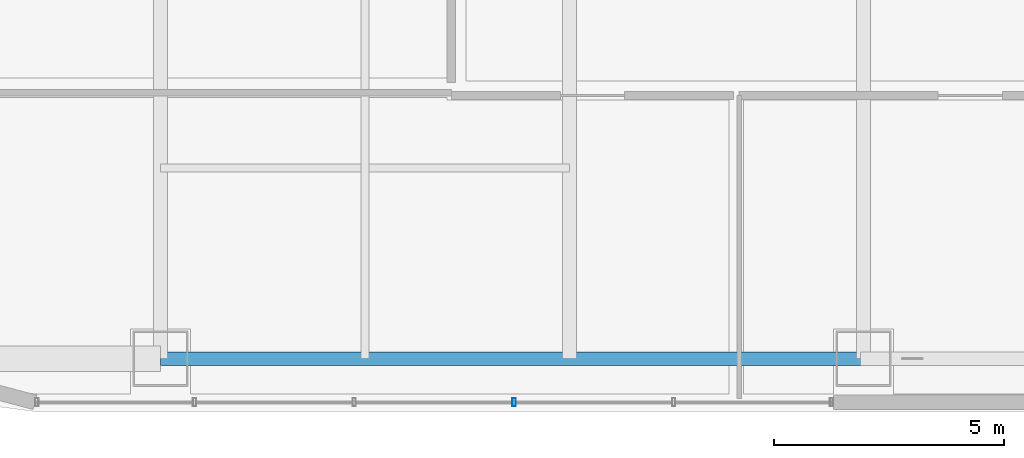
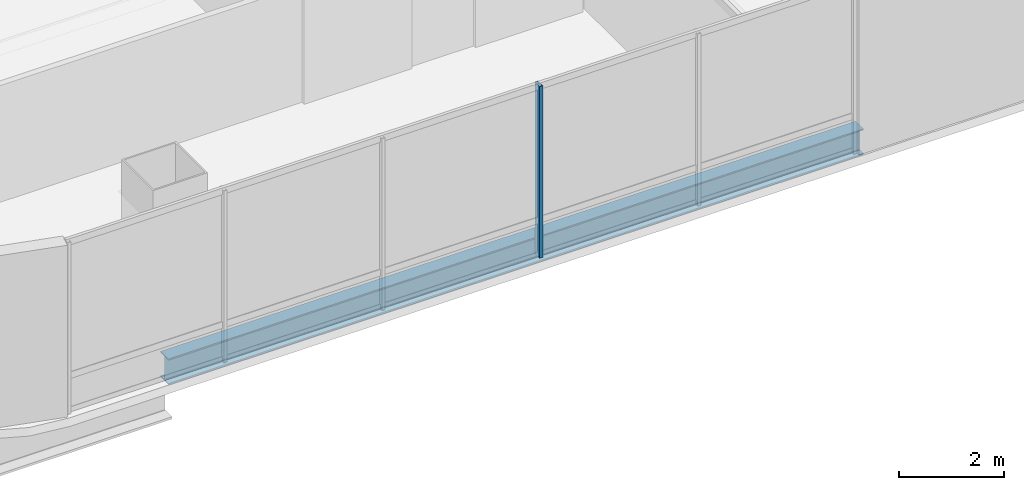
# One storey, part 4 of 43: 1 beam, 1 member, 1 element without a shape of its own.
"""IFC4 building model written with IfcOpenShell, lengths in metres."""

from ifc_helpers import new_model, si_unit, direction, frame, origin, origin_2d, place, context, subcontext, project, spatial, hollow_rectangle, i_section, extrude, material, material_profile, profile_set, type_object, element, aggregate, save


model = new_model("IFC4")

# Units and contexts
model_context = context("Model", 3, precision=1e-05, world=origin(), true_north=direction((0.0, 1.0)))
body_context = subcontext(model_context, "Body", "Model", "MODEL_VIEW")
ifc_project = project(units=[si_unit("LENGTHUNIT", "METRE"), si_unit("AREAUNIT", "SQUARE_METRE"), si_unit("VOLUMEUNIT", "CUBIC_METRE"), si_unit("PLANEANGLEUNIT", "RADIAN"), si_unit("MASSUNIT", "GRAM", prefix="KILO")], contexts=[model_context])

# Site, building, storey
site_placement = place(None, origin())
site = spatial("IfcSite", under=ifc_project, at=site_placement, CompositionType="ELEMENT")
building_placement = place(site_placement, origin())
building = spatial("IfcBuilding", under=site, at=building_placement, Name="Punatoya Terracotta Tower", CompositionType="ELEMENT")
storey_placement = place(building_placement, frame((0.0, 0.0, 300.60009765625)))
storey = spatial("IfcBuildingStorey", under=building, at=storey_placement, Name="L71", CompositionType="ELEMENT", Elevation=300.60009765625)

# Beam
ifc_material_1 = material(Name="Steel S355", Category="steel")
ifc_material_profile_1 = material_profile(ifc_material_1, i_section(OverallWidth=0.300048828125, OverallDepth=0.60009765625, WebThickness=0.015380859375, FlangeThickness=0.030029296875, FilletRadius=0.01806640625, at=origin_2d()))
ifc_profile_set_1 = profile_set([ifc_material_profile_1], Name="Steel S355")
beam_type = type_object("IfcBeamType", Name="BM-PRI-600", PredefinedType="BEAM", material=ifc_profile_set_1)
beam_placement = place(storey_placement, frame((-19.10009765625, -17.5, -0.5), z_axis=(1.0, 0.0, 0.0), x_axis=(0.0, 1.0, 0.0)))
element("IfcBeam", 1, at=beam_placement, inside=storey, type_object=beam_type, Name="BM-L71-RG-S1", PredefinedType="BEAM", context=body_context, shape_type="SweptSolid", body=[
    extrude(i_section(OverallWidth=0.300048828125, OverallDepth=0.60009765625, WebThickness=0.015380859375, FlangeThickness=0.030029296875, FilletRadius=0.01806640625, at=origin_2d()), origin(), (0.0, 0.0, 1.0), 15.300048828125),
])

# Curtain wall, member
ifc_material_2 = material(Name="Aluminium 6063-T6 + Double Low-E Glass", Category="aluminium")
curtain_wall_type = type_object("IfcCurtainWallType", Name="CW-M3", PredefinedType="NOTDEFINED", material=ifc_material_2)
curtain_wall_placement = place(storey_placement, origin())
curtain_wall = element("IfcCurtainWall", 2, at=curtain_wall_placement, inside=storey, type_object=curtain_wall_type, Name="L71 Curtain Wall CW-L71-S01-1", PredefinedType="NOTDEFINED")
ifc_material_3 = material(Name="Aluminium 6063-T6", Category="aluminium")
ifc_material_profile_2 = material_profile(ifc_material_3, hollow_rectangle(XDim=0.070068359375, YDim=0.179931640625, WallThickness=0.00390625, at=origin_2d()))
ifc_profile_set_2 = profile_set([ifc_material_profile_2], Name="Aluminium 6063-T6")
member_type = type_object("IfcMemberType", Name="CW-MUL-M3", PredefinedType="MULLION", material=ifc_profile_set_2)
member_placement = place(storey_placement, frame((-11.40478515625, -18.449951171875, 0.0), z_axis=(0.0, 0.0, 1.0), x_axis=(1.0, 0.0, 0.0)))
member = element("IfcMember", 3, at=member_placement, type_object=member_type, Name="CW-L71-S01-1 Mullion 03", PredefinedType="MULLION", context=body_context, shape_type="SweptSolid", body=[
    extrude(hollow_rectangle(XDim=0.070068359375, YDim=0.179931640625, WallThickness=0.00390625, at=origin_2d()), origin(), (0.0, 0.0, 1.0), 4.0),
])
aggregate(curtain_wall, [member])

save(model, "model.ifc")
